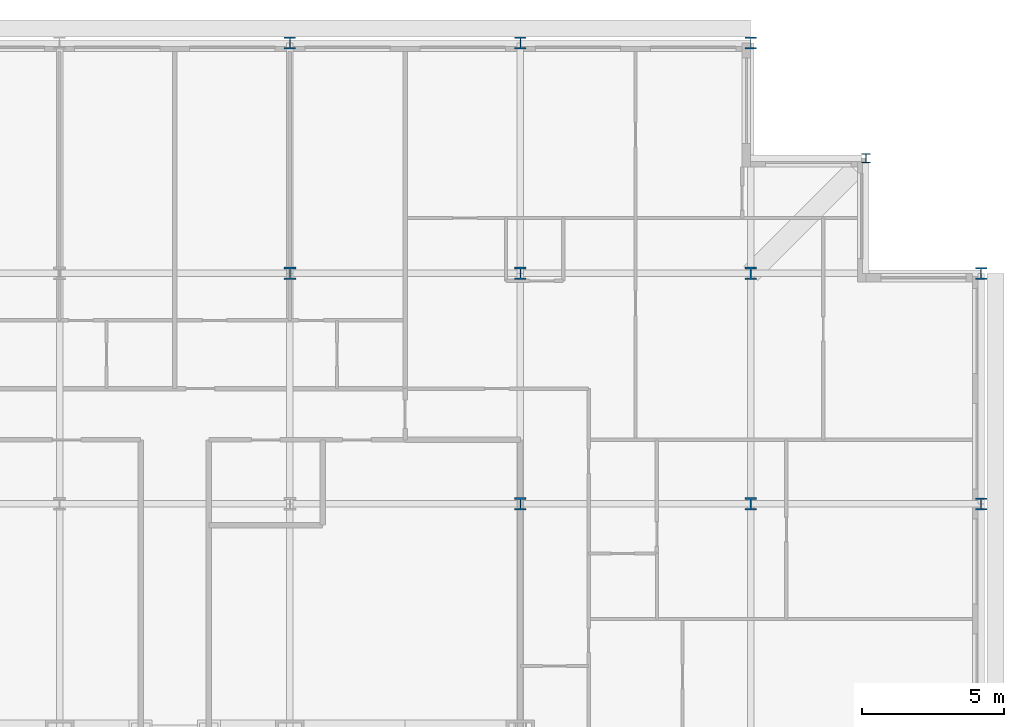
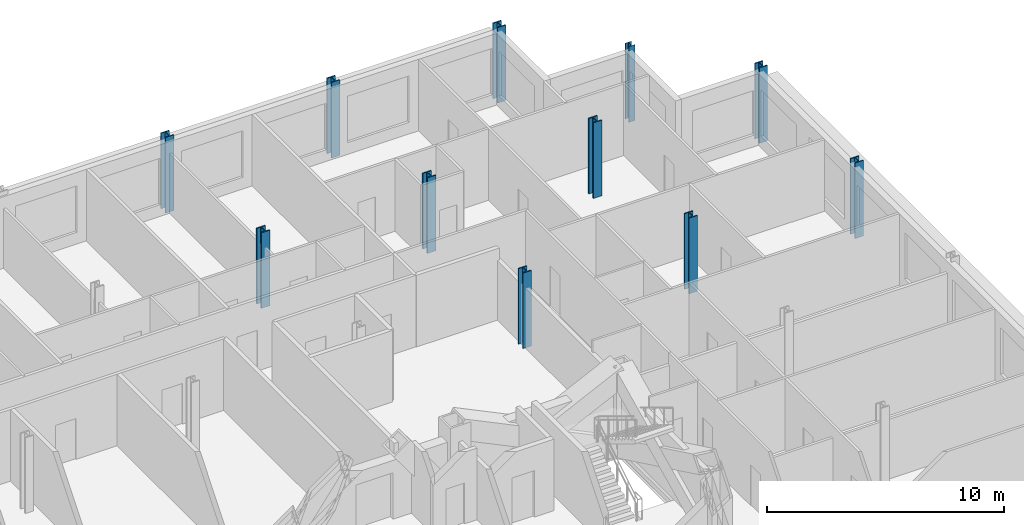
# One storey, part 4 of 15: 11 columns.
"""IFC4 building model written with IfcOpenShell, lengths in metres."""

from ifc_helpers import new_model, si_unit, direction, frame, origin, origin_2d, place, context, subcontext, project, spatial, i_section, extrude, material, material_profile, profile_set, type_object, element, save


model = new_model("IFC4")

# Units and contexts
model_context = context("Model", 3, precision=1e-05, world=origin(), true_north=direction((0.0, 1.0)))
body_context = subcontext(model_context, "Body", "Model", "MODEL_VIEW")
ifc_project = project(units=[si_unit("LENGTHUNIT", "METRE"), si_unit("AREAUNIT", "SQUARE_METRE"), si_unit("VOLUMEUNIT", "CUBIC_METRE"), si_unit("PLANEANGLEUNIT", "RADIAN"), si_unit("MASSUNIT", "GRAM", prefix="KILO")], contexts=[model_context])

# Site, building, storey
site_placement = place(None, origin())
site = spatial("IfcSite", under=ifc_project, at=site_placement, CompositionType="ELEMENT")
building_placement = place(site_placement, origin())
building = spatial("IfcBuilding", under=site, at=building_placement, Name="Kopane Lantern Tower", CompositionType="ELEMENT")
storey_placement = place(building_placement, frame((0.0, 0.0, 269.699951171875)))
storey = spatial("IfcBuildingStorey", under=building, at=storey_placement, Name="L69", CompositionType="ELEMENT", Elevation=269.699951171875)

# Columns
ifc_material_1 = material(Name="Steel S355JR", Category="steel")
ifc_material_profile_1 = material_profile(ifc_material_1, i_section(OverallWidth=0.307373046875, OverallDepth=0.314453125, WebThickness=0.011962890625, FlangeThickness=0.018798828125, FilletRadius=0.01513671875, at=origin_2d()), Name="UC 305x305x118")
ifc_profile_set_1 = profile_set([ifc_material_profile_1], Name="Steel S355JR")
column_type_1 = type_object("IfcColumnType", Name="COLUMN UC 305x305x118", PredefinedType="COLUMN", material=ifc_profile_set_1)
column_placement = place(storey_placement, frame((52.64990234375, 60.75, 0.0), z_axis=(0.0, 0.0, 1.0), x_axis=(1.0, 0.0, 0.0)))
element("IfcColumn", 1, at=column_placement, inside=storey, type_object=column_type_1, Name="Column 52.65/60.75 L69", PredefinedType="COLUMN", context=body_context, shape_type="SweptSolid", body=[
    extrude(i_section(OverallWidth=0.307373046875, OverallDepth=0.314453125, WebThickness=0.011962890625, FlangeThickness=0.018798828125, FilletRadius=0.01513671875, at=origin_2d()), origin(), (0.0, 0.0, 1.0), 3.900146484375),
])
ifc_material_2 = material(Name="Steel S355JR", Category="steel")
ifc_material_profile_2 = material_profile(ifc_material_2, i_section(OverallWidth=0.406982421875, OverallDepth=0.4189453125, WebThickness=0.030517578125, FlangeThickness=0.04931640625, FilletRadius=0.01513671875, at=origin_2d()), Name="UC 356x406x393")
ifc_profile_set_2 = profile_set([ifc_material_profile_2], Name="Steel S355JR")
column_type_2 = type_object("IfcColumnType", Name="COLUMN UC 356x406x393", PredefinedType="COLUMN", material=ifc_profile_set_2)
for number, where, z_axis, x_axis, name in (
    (2, (32.39990234375, 64.800048828125, 0.0), (0.0, 0.0, 1.0), (1.0, 0.0, 0.0), "Column 6/K L69"),
    (3, (40.5, 64.800048828125, 0.0), (0.0, 0.0, 1.0), (1.0, 0.0, 0.0), "Column 7/K L69"),
    (4, (48.60009765625, 64.800048828125, 0.0), (0.0, 0.0, 1.0), (1.0, 0.0, 0.0), "Column 8/K L69"),
    (5, (56.699951171875, 48.60009765625, 0.0), (0.0, 0.0, 1.0), (1.0, 0.0, 0.0), "Column 9/H L69"),
    (6, (56.699951171875, 56.699951171875, 0.0), (0.0, 0.0, 1.0), (1.0, 0.0, 0.0), "Column 9/J L69"),
):
    element("IfcColumn", number, at=place(storey_placement, frame(where, z_axis=z_axis, x_axis=x_axis)), inside=storey, type_object=column_type_2, Name=name, PredefinedType="COLUMN", context=body_context, shape_type="SweptSolid", body=[
        extrude(i_section(OverallWidth=0.406982421875, OverallDepth=0.4189453125, WebThickness=0.030517578125, FlangeThickness=0.04931640625, FilletRadius=0.01513671875, at=origin_2d()), origin(), (0.0, 0.0, 1.0), 3.900146484375),
    ])
ifc_material_3 = material(Name="Steel S355JR", Category="steel")
ifc_material_profile_3 = material_profile(ifc_material_3, i_section(OverallWidth=0.412109375, OverallDepth=0.4365234375, WebThickness=0.035888671875, FlangeThickness=0.05810546875, FilletRadius=0.01513671875, at=origin_2d()), Name="UC 356x406x467")
ifc_profile_set_3 = profile_set([ifc_material_profile_3], Name="Steel S355JR")
column_type_3 = type_object("IfcColumnType", Name="COLUMN UC 356x406x467", PredefinedType="COLUMN", material=ifc_profile_set_3)
for number, where, z_axis, x_axis, name in (
    (7, (32.39990234375, 56.699951171875, 0.0), (0.0, 0.0, 1.0), (1.0, 0.0, 0.0), "Column 6/J L69"),
    (8, (40.5, 48.60009765625, 0.0), (0.0, 0.0, 1.0), (1.0, 0.0, 0.0), "Column 7/H L69"),
    (9, (40.5, 56.699951171875, 0.0), (0.0, 0.0, 1.0), (1.0, 0.0, 0.0), "Column 7/J L69"),
    (10, (48.60009765625, 48.60009765625, 0.0), (0.0, 0.0, 1.0), (1.0, 0.0, 0.0), "Column 8/H L69"),
    (11, (48.60009765625, 56.699951171875, 0.0), (0.0, 0.0, 1.0), (1.0, 0.0, 0.0), "Column 8/J L69"),
):
    element("IfcColumn", number, at=place(storey_placement, frame(where, z_axis=z_axis, x_axis=x_axis)), inside=storey, type_object=column_type_3, Name=name, PredefinedType="COLUMN", context=body_context, shape_type="SweptSolid", body=[
        extrude(i_section(OverallWidth=0.412109375, OverallDepth=0.4365234375, WebThickness=0.035888671875, FlangeThickness=0.05810546875, FilletRadius=0.01513671875, at=origin_2d()), origin(), (0.0, 0.0, 1.0), 3.900146484375),
    ])

save(model, "model.ifc")
